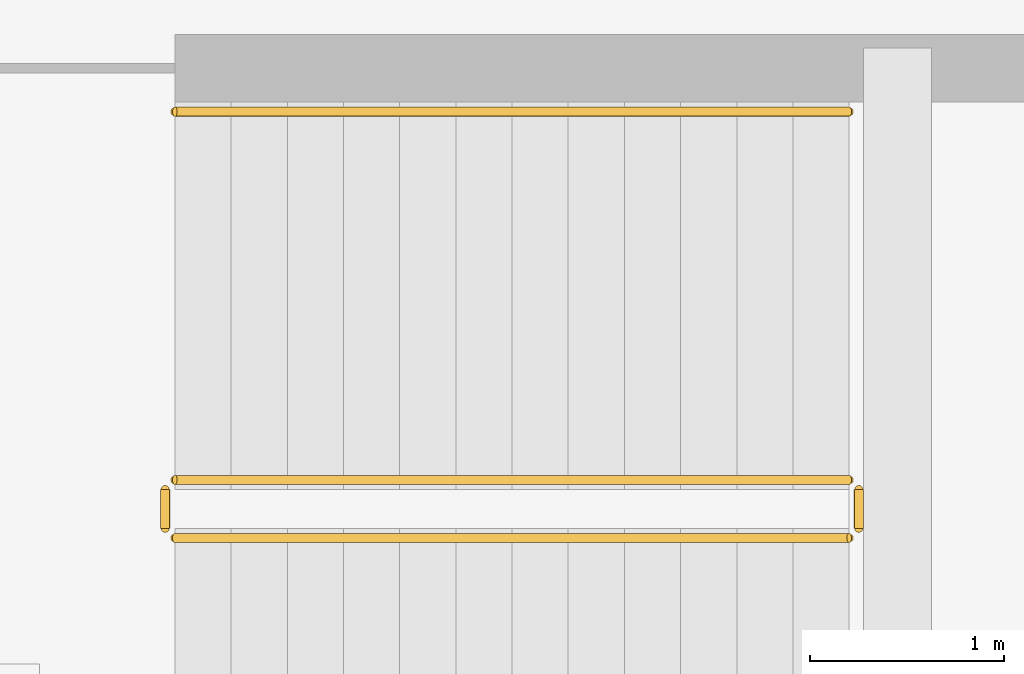
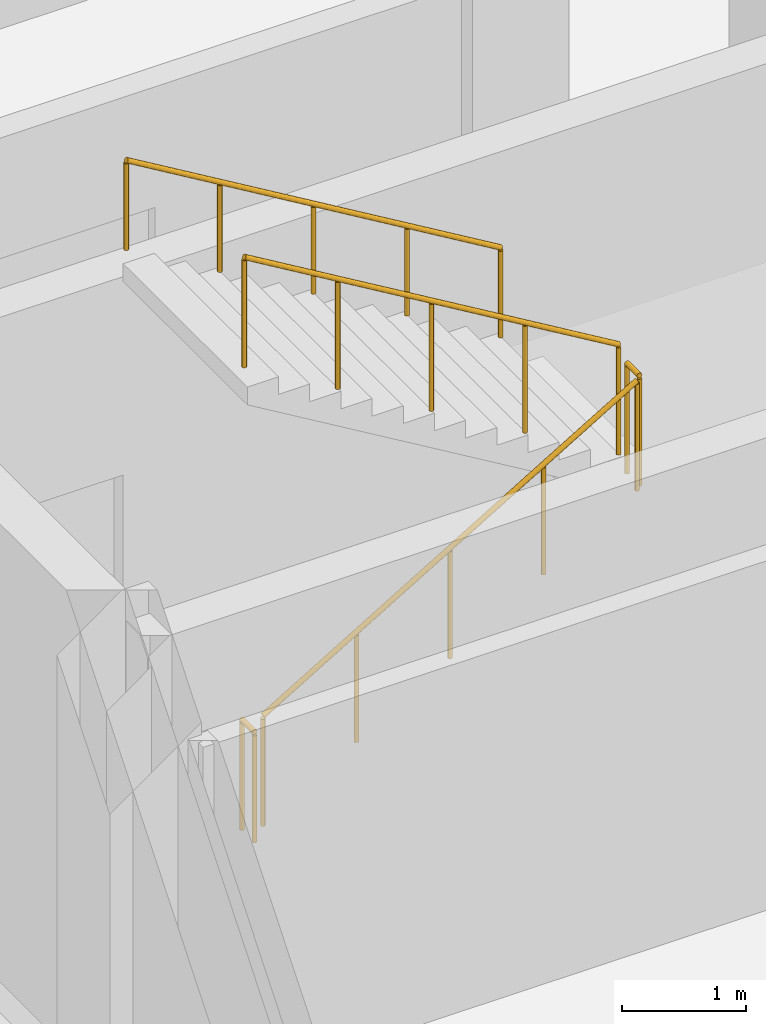
# One storey, part 24 of 26: 5 railings.
"""IFC4 building model written with IfcOpenShell, lengths in metres."""

from ifc_helpers import new_model, si_unit, direction, frame, origin, origin_2d, place, context, subcontext, project, spatial, circle, extrude, material, type_object, element, save


model = new_model("IFC4")

# Units and contexts
model_context = context("Model", 3, precision=1e-05, world=origin(), true_north=direction((0.0, 1.0)))
body_context = subcontext(model_context, "Body", "Model", "MODEL_VIEW")
ifc_project = project(units=[si_unit("LENGTHUNIT", "METRE"), si_unit("AREAUNIT", "SQUARE_METRE"), si_unit("VOLUMEUNIT", "CUBIC_METRE"), si_unit("PLANEANGLEUNIT", "RADIAN"), si_unit("MASSUNIT", "GRAM", prefix="KILO")], contexts=[model_context])

# Site, building, storey
site_placement = place(None, origin())
site = spatial("IfcSite", under=ifc_project, at=site_placement, CompositionType="ELEMENT")
building_placement = place(site_placement, origin())
building = spatial("IfcBuilding", under=site, at=building_placement, Name="Qorikala Patio Media Centre", CompositionType="ELEMENT")
storey_placement = place(building_placement, frame((0.0, 0.0, -4.5)))
storey = spatial("IfcBuildingStorey", under=building, at=storey_placement, Name="B1", CompositionType="ELEMENT", Elevation=-4.5)

# Railings
ifc_material_1 = material(Name="Wrought Bronze and Steel S355", Category="steel")
railing_type_1 = type_object("IfcRailingType", Name="RL-GUARD-110", PredefinedType="GUARDRAIL", material=ifc_material_1)
railing_1_placement = place(storey_placement, frame((5.60009765625, 66.35009765625, 0.173095703125)))
element("IfcRailing", 1, at=railing_1_placement, inside=storey, type_object=railing_type_1, Name="B1 ST-3 stair guard 1", PredefinedType="GUARDRAIL", context=body_context, shape_type="SweptSolid", body=[
    extrude(circle(Radius=0.02392578125, at=origin_2d()), frame((0.0, 0.0, 1.076171875), z_axis=(0.858697190188, 0.0, 0.512483302717), x_axis=(0.0, 1.0, 0.0)), (0.0, 0.0, 1.0), 4.052734375),
    extrude(circle(Radius=0.02099609375, at=origin_2d()), origin(), (0.0, 0.0, 1.0), 1.052001953125),
    extrude(circle(Radius=0.02099609375, at=origin_2d()), frame((0.8701171875, 0.0, 0.519287109375)), (0.0, 0.0, 1.0), 1.052001953125),
    extrude(circle(Radius=0.02099609375, at=origin_2d()), frame((1.739990234375, 0.0, 1.03857421875)), (0.0, 0.0, 1.0), 1.052001953125),
    extrude(circle(Radius=0.02099609375, at=origin_2d()), frame((2.60986328125, 0.0, 1.5576171875)), (0.0, 0.0, 1.0), 1.052001953125),
    extrude(circle(Radius=0.02099609375, at=origin_2d()), frame((3.47998046875, 0.0, 2.076904296875)), (0.0, 0.0, 1.0), 1.052001953125),
])
railing_2_placement = place(storey_placement, frame((9.1298828125, 66.39990234375, 2.25)))
element("IfcRailing", 2, at=railing_2_placement, inside=storey, type_object=railing_type_1, Name="B1 ST-3 stair guard 2", PredefinedType="GUARDRAIL", context=body_context, shape_type="SweptSolid", body=[
    extrude(circle(Radius=0.02392578125, at=origin_2d()), frame((0.0, 0.0, 1.076171875), z_axis=(0.0, 1.0, 0.0), x_axis=(-1.0, 0.0, 0.0)), (0.0, 0.0, 1.0), 0.2001953125),
    extrude(circle(Radius=0.02099609375, at=origin_2d()), origin(), (0.0, 0.0, 1.0), 1.052001953125),
    extrude(circle(Radius=0.02099609375, at=origin_2d()), frame((0.0, 0.2001953125, 0.0)), (0.0, 0.0, 1.0), 1.052001953125),
])
railing_3_placement = place(storey_placement, frame((9.080078125, 66.64990234375, 2.423095703125)))
element("IfcRailing", 3, at=railing_3_placement, inside=storey, type_object=railing_type_1, Name="B1 ST-3 stair guard 3", PredefinedType="GUARDRAIL", context=body_context, shape_type="SweptSolid", body=[
    extrude(circle(Radius=0.02392578125, at=origin_2d()), frame((0.0, 0.0, 1.076171875), z_axis=(-0.858697190188, 0.0, 0.512483302717), x_axis=(0.0, -1.0, 0.0)), (0.0, 0.0, 1.0), 4.052734375),
    extrude(circle(Radius=0.02099609375, at=origin_2d()), origin(), (0.0, 0.0, 1.0), 1.052001953125),
    extrude(circle(Radius=0.02099609375, at=origin_2d()), frame((-0.8701171875, 0.0, 0.519287109375)), (0.0, 0.0, 1.0), 1.052001953125),
    extrude(circle(Radius=0.02099609375, at=origin_2d()), frame((-1.739990234375, 0.0, 1.03857421875)), (0.0, 0.0, 1.0), 1.052001953125),
    extrude(circle(Radius=0.02099609375, at=origin_2d()), frame((-2.60986328125, 0.0, 1.5576171875)), (0.0, 0.0, 1.0), 1.052001953125),
    extrude(circle(Radius=0.02099609375, at=origin_2d()), frame((-3.47998046875, 0.0, 2.076904296875)), (0.0, 0.0, 1.0), 1.052001953125),
])
railing_4_placement = place(storey_placement, frame((5.550048828125, 66.39990234375, 0.0)))
element("IfcRailing", 4, at=railing_4_placement, inside=storey, type_object=railing_type_1, Name="B1 ST-3 stair guard 4", PredefinedType="GUARDRAIL", context=body_context, shape_type="SweptSolid", body=[
    extrude(circle(Radius=0.02392578125, at=origin_2d()), frame((0.0, 0.0, 1.076171875), z_axis=(0.0, 1.0, 0.0), x_axis=(-1.0, 0.0, 0.0)), (0.0, 0.0, 1.0), 0.2001953125),
    extrude(circle(Radius=0.02099609375, at=origin_2d()), origin(), (0.0, 0.0, 1.0), 1.052001953125),
    extrude(circle(Radius=0.02099609375, at=origin_2d()), frame((0.0, 0.2001953125, 0.0)), (0.0, 0.0, 1.0), 1.052001953125),
])
ifc_material_2 = material(Name="Brushed Bronze Tubular Steel S355", Category="steel")
railing_type_2 = type_object("IfcRailingType", Name="RL-HAND-090", PredefinedType="HANDRAIL", material=ifc_material_2)
railing_5_placement = place(storey_placement, frame((9.080078125, 68.550048828125, 2.423095703125)))
element("IfcRailing", 5, at=railing_5_placement, inside=storey, type_object=railing_type_2, Name="B1 ST-3 stair handrail 2", PredefinedType="HANDRAIL", context=body_context, shape_type="SweptSolid", body=[
    extrude(circle(Radius=0.02392578125, at=origin_2d()), frame((0.0, 0.0, 0.8759765625), z_axis=(-0.858697190188, 0.0, 0.512483302717), x_axis=(0.0, -1.0, 0.0)), (0.0, 0.0, 1.0), 4.052734375),
    extrude(circle(Radius=0.02099609375, at=origin_2d()), origin(), (0.0, 0.0, 1.0), 0.851806640625),
    extrude(circle(Radius=0.02099609375, at=origin_2d()), frame((-0.8701171875, 0.0, 0.519287109375)), (0.0, 0.0, 1.0), 0.851806640625),
    extrude(circle(Radius=0.02099609375, at=origin_2d()), frame((-1.739990234375, 0.0, 1.03857421875)), (0.0, 0.0, 1.0), 0.851806640625),
    extrude(circle(Radius=0.02099609375, at=origin_2d()), frame((-2.60986328125, 0.0, 1.5576171875)), (0.0, 0.0, 1.0), 0.851806640625),
    extrude(circle(Radius=0.02099609375, at=origin_2d()), frame((-3.47998046875, 0.0, 2.076904296875)), (0.0, 0.0, 1.0), 0.851806640625),
])

save(model, "model.ifc")
